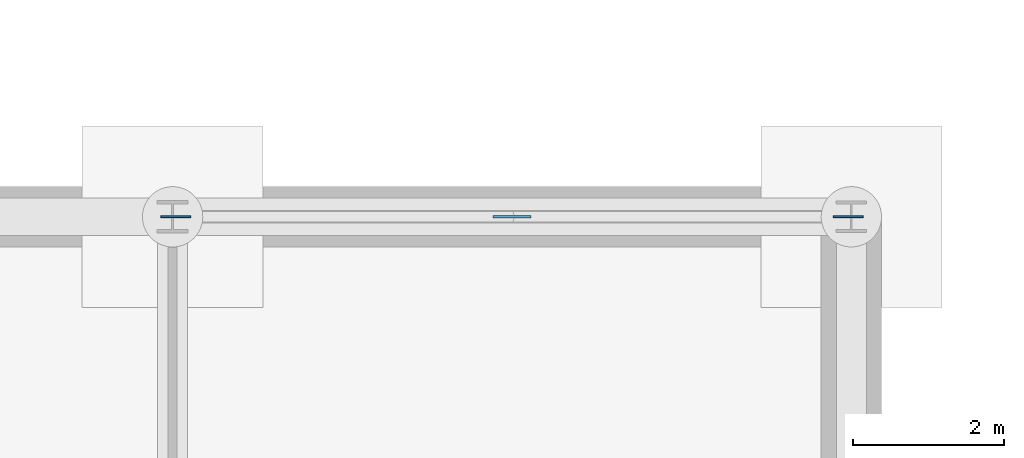
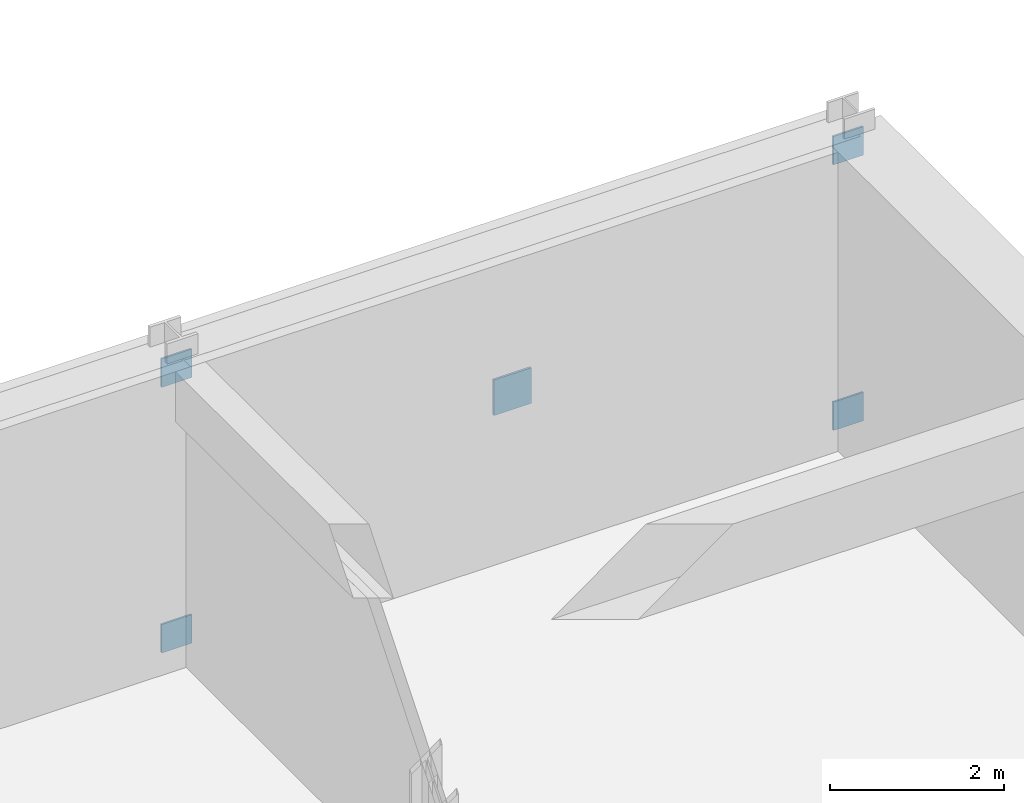
# One storey, part 36 of 41: 5 discrete accessories.
"""IFC4 building model written with IfcOpenShell, lengths in metres."""

from ifc_helpers import new_model, si_unit, direction, frame, origin, origin_2d, place, context, subcontext, project, spatial, rectangle, extrude, material, type_object, element, save


model = new_model("IFC4")

# Units and contexts
model_context = context("Model", 3, precision=1e-05, world=origin(), true_north=direction((0.0, 1.0)))
body_context = subcontext(model_context, "Body", "Model", "MODEL_VIEW")
ifc_project = project(units=[si_unit("LENGTHUNIT", "METRE"), si_unit("AREAUNIT", "SQUARE_METRE"), si_unit("VOLUMEUNIT", "CUBIC_METRE"), si_unit("PLANEANGLEUNIT", "RADIAN"), si_unit("MASSUNIT", "GRAM", prefix="KILO")], contexts=[model_context])

# Site, building, storey
site_placement = place(None, origin())
site = spatial("IfcSite", under=ifc_project, at=site_placement, CompositionType="ELEMENT")
building_placement = place(site_placement, origin())
building = spatial("IfcBuilding", under=site, at=building_placement, Name="Palais des Congres Ocreval", CompositionType="ELEMENT")
storey_placement = place(building_placement, frame((0.0, 0.0, -8.9599609375)))
storey = spatial("IfcBuildingStorey", under=building, at=storey_placement, Name="B2", CompositionType="ELEMENT", Elevation=-8.9599609375)

# Discrete accessories
ifc_material = material(Name="Steel S355", Category="steel")
discrete_accessory_type_1 = type_object("IfcDiscreteAccessoryType", Name="Cast-In Embed Plate PL25 Steel S355", PredefinedType="USERDEFINED", material=ifc_material)
for number, where, z_axis, x_axis, name in (
    (1, (45.0400390625, 114.0, 0.0), (0.0, 0.0, 1.0), (1.0, 0.0, 0.0), "Cast-In Embed Plate EP01"),
    (2, (53.9599609375, 114.0, 3.72998046875), (0.0, 0.0, 1.0), (1.0, 0.0, 0.0), "Cast-In Embed Plate EP01"),
    (3, (45.0400390625, 114.0, 3.72998046875), (0.0, 0.0, 1.0), (1.0, 0.0, 0.0), "Cast-In Embed Plate EP01"),
    (4, (53.9599609375, 114.0, 0.0), (0.0, 0.0, 1.0), (1.0, 0.0, 0.0), "Cast-In Embed Plate EP01"),
):
    element("IfcDiscreteAccessory", number, at=place(storey_placement, frame(where, z_axis=z_axis, x_axis=x_axis)), inside=storey, type_object=discrete_accessory_type_1, Name=name, ObjectType="EMBED PLATE", PredefinedType="USERDEFINED", context=body_context, shape_type="SweptSolid", body=[
        extrude(rectangle(XDim=0.39990234375, YDim=0.02490234375, at=origin_2d()), origin(), (0.0, 0.0, 1.0), 0.39990234375),
    ])
discrete_accessory_type_2 = type_object("IfcDiscreteAccessoryType", Name="X-Brace Node Gusset Plate PL30 Steel S355", PredefinedType="USERDEFINED", material=ifc_material)
discrete_accessory_placement = place(storey_placement, frame((49.5, 114.0, 1.7900390625), z_axis=(0.0, 0.0, 1.0), x_axis=(1.0, 0.0, 0.0)))
element("IfcDiscreteAccessory", 5, at=discrete_accessory_placement, inside=storey, type_object=discrete_accessory_type_2, Name="X-Brace Node Gusset Plate GP01", ObjectType="GUSSET PLATE", PredefinedType="USERDEFINED", context=body_context, shape_type="SweptSolid", body=[
    extrude(rectangle(XDim=0.5, YDim=0.030029296875, at=origin_2d()), origin(), (0.0, 0.0, 1.0), 0.5),
])

save(model, "model.ifc")
